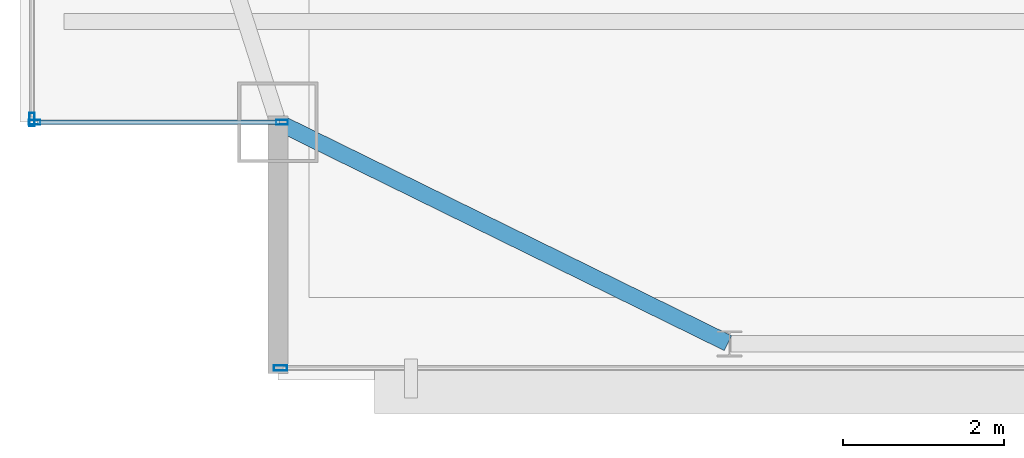
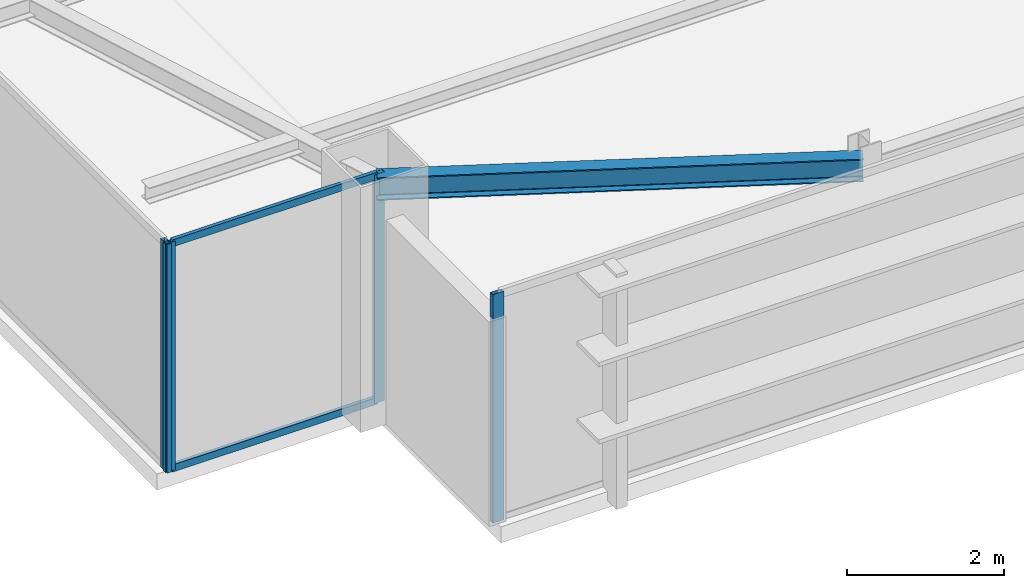
# One storey, part 4 of 24: 6 members, 1 beam, 3 elements without a shape of their own.
"""IFC4 building model written with IfcOpenShell, lengths in metres."""

from ifc_helpers import new_model, si_unit, direction, frame, origin, origin_2d, place, context, subcontext, project, spatial, hollow_rectangle, i_section, extrude, source, transform, mapped, material, layer, layer_set, material_profile, profile_set, type_object, type_shapes, element, aggregate, save


model = new_model("IFC4")

# Units and contexts
model_context = context("Model", 3, precision=1e-05, world=origin(), true_north=direction((0.0, 1.0)))
body_context = subcontext(model_context, "Body", "Model", "MODEL_VIEW")
ifc_project = project(units=[si_unit("LENGTHUNIT", "METRE"), si_unit("AREAUNIT", "SQUARE_METRE"), si_unit("VOLUMEUNIT", "CUBIC_METRE"), si_unit("PLANEANGLEUNIT", "RADIAN"), si_unit("MASSUNIT", "GRAM", prefix="KILO")], contexts=[model_context])

# Site, building, storey
site_placement = place(None, origin())
site = spatial("IfcSite", under=ifc_project, at=site_placement, CompositionType="ELEMENT")
building_placement = place(site_placement, origin())
building = spatial("IfcBuilding", under=site, at=building_placement, Name="Varnel Quay Broadcast Tower", CompositionType="ELEMENT")
storey_placement = place(building_placement, frame((0.0, 0.0, 285.0)))
storey = spatial("IfcBuildingStorey", under=building, at=storey_placement, Name="L71", CompositionType="ELEMENT", Elevation=285.0)

# Beam
ifc_material_1 = material(Name="Structural Steel CSA G40.21 350W", Category="steel")
ifc_material_profile_1 = material_profile(ifc_material_1, i_section(OverallWidth=0.205078125, OverallDepth=0.35400390625, WebThickness=0.009521484375, FlangeThickness=0.016845703125, FilletRadius=0.012939453125, at=origin_2d()), Name="W360X79")
ifc_profile_set_1 = profile_set([ifc_material_profile_1], Name="Structural Steel CSA G40.21 350W")
beam_type = type_object("IfcBeamType", Name="Beam_W360X79", PredefinedType="SPANDREL", material=ifc_profile_set_1)
shared_shape_1 = source(origin(), body_context, "Body", "SweptSolid", [
    extrude(i_section(OverallWidth=0.205078125, OverallDepth=0.35400390625, WebThickness=0.009521484375, FlangeThickness=0.016845703125, FilletRadius=0.012939453125, at=origin_2d()), origin(), (0.0, 0.0, 1.0), 6.19873046875),
])
type_shapes(beam_type, [shared_shape_1])
beam_placement = place(storey_placement, frame((15.218017578125, 16.39111328125, 3.373046875), z_axis=(0.897602447358, -0.440805905697, 0.0), x_axis=(0.440805905697, 0.897602447358, 0.0)))
element("IfcBeam", 1, at=beam_placement, inside=storey, type_object=beam_type, Name="L71 South Spandrel MC-SW-TC-S1", PredefinedType="SPANDREL", context=body_context, shape_type="MappedRepresentation", body=[
    mapped(shared_shape_1, transform((0.0, 0.0, 0.0), x_axis=(1.0, 0.0, 0.0), y_axis=(0.0, 1.0, 0.0), z_axis=(0.0, 0.0, 1.0), scale=1.0)),
])

# Curtain wall, members
ifc_material_2 = material(Name="Anodised Bronze Aluminium 6063-T6", Category="aluminium")
ifc_layer_1 = layer(ifc_material_2, 0.18994140625, Name="Anodised Bronze Aluminium 6063-T6")
ifc_layer_set_1 = layer_set([ifc_layer_1], Name="Anodised Bronze Aluminium 6063-T6")
curtain_wall_type_1 = type_object("IfcCurtainWallType", Name="CW_NotchCorner", PredefinedType="NOTDEFINED", material=ifc_layer_set_1)
curtain_wall_1_placement = place(storey_placement, origin())
curtain_wall_1 = element("IfcCurtainWall", 2, at=curtain_wall_1_placement, inside=storey, type_object=curtain_wall_type_1, Name="L71 SW Notch Curtain Wall", PredefinedType="NOTDEFINED")
ifc_material_profile_2 = material_profile(ifc_material_2, hollow_rectangle(XDim=0.06005859375, YDim=0.14501953125, WallThickness=0.00341796875, at=origin_2d()), Name="ALU60X145X3.5")
ifc_profile_set_2 = profile_set([ifc_material_profile_2], Name="Anodised Bronze Aluminium 6063-T6")
member_type_1 = type_object("IfcMemberType", Name="Mull_CWS-04", PredefinedType="MULLION", material=ifc_profile_set_2)
shared_shape_2 = source(origin(), body_context, "Body", "SweptSolid", [
    extrude(hollow_rectangle(XDim=0.06005859375, YDim=0.14501953125, WallThickness=0.00341796875, at=origin_2d()), origin(), (0.0, 0.0, 1.0), 3.550048828125),
])
type_shapes(member_type_1, [shared_shape_2])
member_1_placement = place(storey_placement, frame((12.179931640625, 16.39990234375, 0.0), z_axis=(0.0, 0.0, 1.0), x_axis=(0.0, 1.0, 0.0)))
member_1 = element("IfcMember", 3, at=member_1_placement, type_object=member_type_1, Name="CWS-04 mullion 1", PredefinedType="MULLION", context=body_context, shape_type="MappedRepresentation", body=[
    mapped(shared_shape_2, transform((0.0, 0.0, 0.0), x_axis=(1.0, 0.0, 0.0), y_axis=(0.0, 1.0, 0.0), z_axis=(0.0, 0.0, 1.0), scale=1.0)),
])
member_2_placement = place(storey_placement, frame((15.25, 16.39990234375, 0.0), z_axis=(0.0, 0.0, 1.0), x_axis=(0.0, 1.0, 0.0)))
member_2 = element("IfcMember", 4, at=member_2_placement, type_object=member_type_1, Name="CWS-04 mullion 2", PredefinedType="MULLION", context=body_context, shape_type="MappedRepresentation", body=[
    mapped(shared_shape_2, transform((0.0, 0.0, 0.0), x_axis=(1.0, 0.0, 0.0), y_axis=(0.0, 1.0, 0.0), z_axis=(0.0, 0.0, 1.0), scale=1.0)),
])

# Curtain wall, member
ifc_layer_2 = layer(ifc_material_2, 0.18994140625, Name="Anodised Bronze Aluminium 6063-T6")
ifc_layer_set_2 = layer_set([ifc_layer_2], Name="Anodised Bronze Aluminium 6063-T6")
curtain_wall_type_2 = type_object("IfcCurtainWallType", Name="CW_UpperTower", PredefinedType="NOTDEFINED", material=ifc_layer_set_2)
curtain_wall_2_placement = place(storey_placement, origin())
curtain_wall_2 = element("IfcCurtainWall", 5, at=curtain_wall_2_placement, inside=storey, type_object=curtain_wall_type_2, Name="L71 South Unitised Curtain Wall 1", PredefinedType="NOTDEFINED")
ifc_material_profile_3 = material_profile(ifc_material_2, hollow_rectangle(XDim=0.06494140625, YDim=0.1650390625, WallThickness=0.00341796875, at=origin_2d()), Name="ALU65X165X3.5")
ifc_profile_set_3 = profile_set([ifc_material_profile_3], Name="Anodised Bronze Aluminium 6063-T6")
member_type_2 = type_object("IfcMemberType", Name="Mull_CWS-03", PredefinedType="MULLION", material=ifc_profile_set_3)
shared_shape_3 = source(origin(), body_context, "Body", "SweptSolid", [
    extrude(hollow_rectangle(XDim=0.06494140625, YDim=0.1650390625, WallThickness=0.00341796875, at=origin_2d()), origin(), (0.0, 0.0, 1.0), 3.550048828125),
])
type_shapes(member_type_2, [shared_shape_3])
member_3_placement = place(storey_placement, frame((15.232421875, 13.35009765625, 0.0), z_axis=(0.0, 0.0, 1.0), x_axis=(0.0, 1.0, 0.0)))
member_3 = element("IfcMember", 6, at=member_3_placement, type_object=member_type_2, Name="CWS-03 mullion 1", PredefinedType="MULLION", context=body_context, shape_type="MappedRepresentation", body=[
    mapped(shared_shape_3, transform((0.0, 0.0, 0.0), x_axis=(1.0, 0.0, 0.0), y_axis=(0.0, 1.0, 0.0), z_axis=(0.0, 0.0, 1.0), scale=1.0)),
])
aggregate(curtain_wall_2, [member_3])

curtain_wall_3_placement = place(storey_placement, origin())
curtain_wall_3 = element("IfcCurtainWall", 7, at=curtain_wall_3_placement, inside=storey, type_object=curtain_wall_type_2, Name="L71 West Unitised Curtain Wall", PredefinedType="NOTDEFINED")
member_4_placement = place(storey_placement, frame((12.14990234375, 16.4326171875, 0.0), z_axis=(0.0, 0.0, 1.0), x_axis=(-1.0, 0.0, 0.0)))
member_4 = element("IfcMember", 8, at=member_4_placement, type_object=member_type_2, Name="CWS-03 mullion 1", PredefinedType="MULLION", context=body_context, shape_type="MappedRepresentation", body=[
    mapped(shared_shape_3, transform((0.0, 0.0, 0.0), x_axis=(1.0, 0.0, 0.0), y_axis=(0.0, 1.0, 0.0), z_axis=(0.0, 0.0, 1.0), scale=1.0)),
])
aggregate(curtain_wall_3, [member_4])

# Member
ifc_material_profile_4 = material_profile(ifc_material_2, hollow_rectangle(XDim=0.054931640625, YDim=0.110107421875, WallThickness=0.0029296875, at=origin_2d()), Name="ALU55X110X3")
ifc_profile_set_4 = profile_set([ifc_material_profile_4], Name="Anodised Bronze Aluminium 6063-T6")
member_type_3 = type_object("IfcMemberType", Name="Tran_CWS-04", PredefinedType="USERDEFINED", material=ifc_profile_set_4)
shared_shape_4 = source(origin(), body_context, "Body", "SweptSolid", [
    extrude(hollow_rectangle(XDim=0.054931640625, YDim=0.110107421875, WallThickness=0.0029296875, at=origin_2d()), origin(), (0.0, 0.0, 1.0), 3.010009765625),
])
type_shapes(member_type_3, [shared_shape_4])
member_5_placement = place(storey_placement, frame((12.2099609375, 16.39990234375, 0.027587890625), z_axis=(1.0, 0.0, 0.0), x_axis=(0.0, 1.0, 0.0)))
member_5 = element("IfcMember", 9, at=member_5_placement, type_object=member_type_3, Name="CWS-04 transom 1.1", ObjectType="TRANSOM", PredefinedType="USERDEFINED", context=body_context, shape_type="MappedRepresentation", body=[
    mapped(shared_shape_4, transform((0.0, 0.0, 0.0), x_axis=(1.0, 0.0, 0.0), y_axis=(0.0, 1.0, 0.0), z_axis=(0.0, 0.0, 1.0), scale=1.0)),
])

member_6_placement = place(storey_placement, frame((12.2099609375, 16.39990234375, 3.5224609375), z_axis=(1.0, 0.0, 0.0), x_axis=(0.0, 1.0, 0.0)))
member_6 = element("IfcMember", 10, at=member_6_placement, type_object=member_type_3, Name="CWS-04 transom 1.2", ObjectType="TRANSOM", PredefinedType="USERDEFINED", context=body_context, shape_type="MappedRepresentation", body=[
    mapped(shared_shape_4, transform((0.0, 0.0, 0.0), x_axis=(1.0, 0.0, 0.0), y_axis=(0.0, 1.0, 0.0), z_axis=(0.0, 0.0, 1.0), scale=1.0)),
])

aggregate(curtain_wall_1, [member_1, member_2, member_5, member_6])

save(model, "model.ifc")
